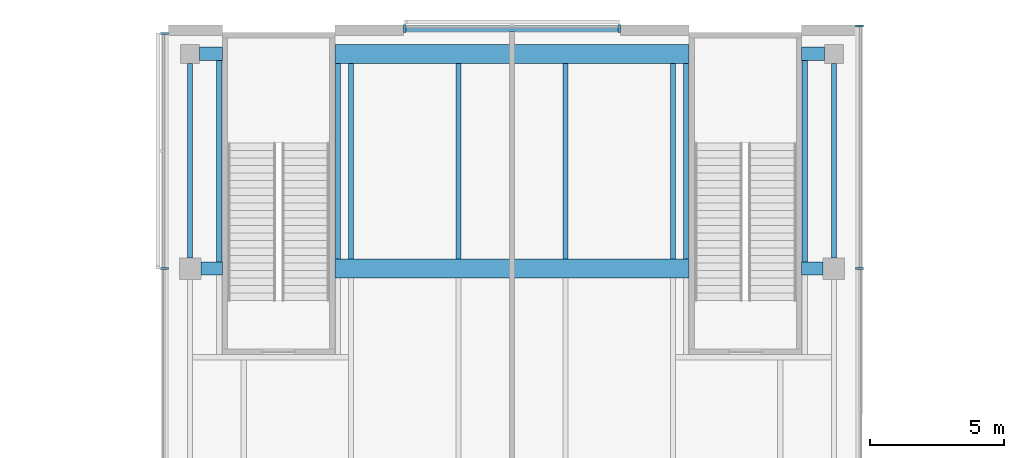
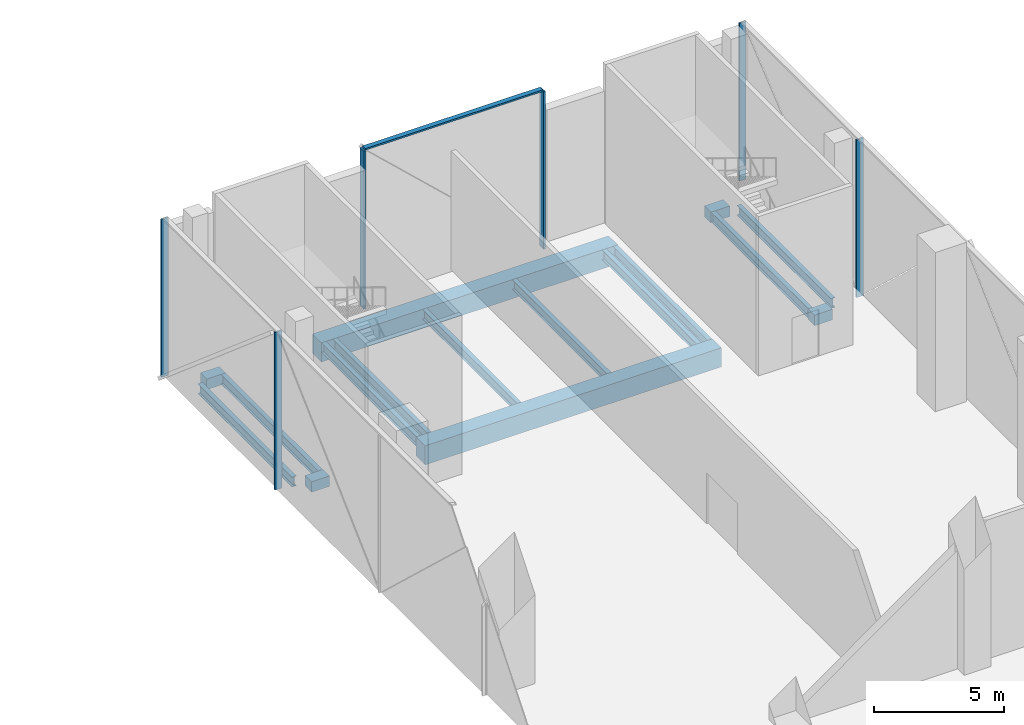
# One storey, part 11 of 25: 16 beams, 7 members, 3 elements without a shape of their own.
"""IFC4 building model written with IfcOpenShell, lengths in metres."""

from ifc_helpers import new_model, si_unit, direction, frame, origin, origin_2d, place, context, subcontext, project, spatial, rectangle, i_section, extrude, material, material_profile, profile_set, type_object, element, aggregate, save


model = new_model("IFC4")

# Units and contexts
model_context = context("Model", 3, precision=1e-05, world=origin(), true_north=direction((0.0, 1.0)))
body_context = subcontext(model_context, "Body", "Model", "MODEL_VIEW")
ifc_project = project(units=[si_unit("LENGTHUNIT", "METRE"), si_unit("AREAUNIT", "SQUARE_METRE"), si_unit("VOLUMEUNIT", "CUBIC_METRE"), si_unit("PLANEANGLEUNIT", "RADIAN"), si_unit("MASSUNIT", "GRAM", prefix="KILO")], contexts=[model_context])

# Site, building, storey
site_placement = place(None, origin())
site = spatial("IfcSite", under=ifc_project, at=site_placement, CompositionType="ELEMENT")
building_placement = place(site_placement, origin())
building = spatial("IfcBuilding", under=site, at=building_placement, Name="Crosswind Convention Tower", CompositionType="ELEMENT")
storey_placement = place(building_placement, frame((0.0, 0.0, 17.5)))
storey = spatial("IfcBuildingStorey", under=building, at=storey_placement, Name="L02", CompositionType="ELEMENT", Elevation=17.5)

# Beams
ifc_material_1 = material(Name="Steel S355", Category="steel")
ifc_material_profile_1 = material_profile(ifc_material_1, i_section(OverallWidth=0.19287109375, OverallDepth=0.467529296875, WebThickness=0.011474609375, FlangeThickness=0.01953125, FilletRadius=0.01025390625, at=origin_2d()), Name="UB 457x191x98")
ifc_profile_set_1 = profile_set([ifc_material_profile_1], Name="Steel S355")
beam_type_1 = type_object("IfcBeamType", Name="Edge beam UB 457x191x98", PredefinedType="SPANDREL", material=ifc_profile_set_1)
for number, where, z_axis, x_axis, name in (
    (1, (113.0, 136.39990234375, -0.6337890625), (0.0, 1.0, 0.0), (-1.0, 0.0, 0.0), "B20 L02 edge beam 12"),
    (2, (137.0, 136.39990234375, -0.6337890625), (0.0, 1.0, 0.0), (-1.0, 0.0, 0.0), "B20 L02 edge beam 20"),
):
    element("IfcBeam", number, at=place(storey_placement, frame(where, z_axis=z_axis, x_axis=x_axis)), inside=storey, type_object=beam_type_1, Name=name, PredefinedType="SPANDREL", context=body_context, shape_type="SweptSolid", body=[
        extrude(i_section(OverallWidth=0.19287109375, OverallDepth=0.467529296875, WebThickness=0.011474609375, FlangeThickness=0.01953125, FilletRadius=0.01025390625, at=origin_2d()), origin(), (0.0, 0.0, 1.0), 7.25),
    ])

# Curtain wall, members
ifc_material_2 = material(Name="Aluminium unitised curtain wall", Category="aluminium")
curtain_wall_type = type_object("IfcCurtainWallType", Name="PODIUM UNITISED WALL 300", PredefinedType="USERDEFINED", material=ifc_material_2)
curtain_wall_1_placement = place(storey_placement, origin())
curtain_wall_1 = element("IfcCurtainWall", 3, at=curtain_wall_1_placement, inside=storey, type_object=curtain_wall_type, Name="CW1 L02 N-E 1", ObjectType="UNITISED", PredefinedType="USERDEFINED")
ifc_material_3 = material(Name="Aluminium mullion", Category="aluminium")
ifc_material_profile_2 = material_profile(ifc_material_3, rectangle(XDim=0.300048828125, YDim=0.080078125, at=origin_2d()), Name="AL 300X80")
ifc_profile_set_2 = profile_set([ifc_material_profile_2], Name="Aluminium mullion")
member_type_1 = type_object("IfcMemberType", Name="MULLION 80X300", PredefinedType="MULLION", material=ifc_profile_set_2)
member_1_placement = place(storey_placement, frame((137.949951171875, 136.0, -0.39990234375), z_axis=(0.0, 0.0, 1.0), x_axis=(1.0, 0.0, 0.0)))
member_1 = element("IfcMember", 4, at=member_1_placement, type_object=member_type_1, Name="CW1 mullion 3", PredefinedType="MULLION", context=body_context, shape_type="SweptSolid", body=[
    extrude(rectangle(XDim=0.300048828125, YDim=0.080078125, at=origin_2d()), origin(), (0.0, 0.0, 1.0), 7.419921875),
])
member_2_placement = place(storey_placement, frame((137.949951171875, 145.044921875, -0.39990234375), z_axis=(0.0, 0.0, 1.0), x_axis=(1.0, 0.0, 0.0)))
member_2 = element("IfcMember", 5, at=member_2_placement, type_object=member_type_1, Name="CW1 mullion 4", PredefinedType="MULLION", context=body_context, shape_type="SweptSolid", body=[
    extrude(rectangle(XDim=0.300048828125, YDim=0.080078125, at=origin_2d()), origin(), (0.0, 0.0, 1.0), 7.419921875),
])
aggregate(curtain_wall_1, [member_1, member_2])

curtain_wall_2_placement = place(storey_placement, origin())
curtain_wall_2 = element("IfcCurtainWall", 6, at=curtain_wall_2_placement, inside=storey, type_object=curtain_wall_type, Name="CW1 L02 N-TIP 1", ObjectType="UNITISED", PredefinedType="USERDEFINED")
member_3_placement = place(storey_placement, frame((129.0, 144.949951171875, -0.39990234375), z_axis=(0.0, 0.0, 1.0), x_axis=(0.0, 1.0, 0.0)))
member_3 = element("IfcMember", 7, at=member_3_placement, type_object=member_type_1, Name="CW1 mullion 1", PredefinedType="MULLION", context=body_context, shape_type="SweptSolid", body=[
    extrude(rectangle(XDim=0.300048828125, YDim=0.080078125, at=origin_2d()), origin(), (0.0, 0.0, 1.0), 7.419921875),
])
member_4_placement = place(storey_placement, frame((121.0, 144.949951171875, -0.39990234375), z_axis=(0.0, 0.0, 1.0), x_axis=(0.0, 1.0, 0.0)))
member_4 = element("IfcMember", 8, at=member_4_placement, type_object=member_type_1, Name="CW1 mullion 2", PredefinedType="MULLION", context=body_context, shape_type="SweptSolid", body=[
    extrude(rectangle(XDim=0.300048828125, YDim=0.080078125, at=origin_2d()), origin(), (0.0, 0.0, 1.0), 7.419921875),
])

curtain_wall_3_placement = place(storey_placement, origin())
curtain_wall_3 = element("IfcCurtainWall", 9, at=curtain_wall_3_placement, inside=storey, type_object=curtain_wall_type, Name="CW1 L02 N-W 1", ObjectType="UNITISED", PredefinedType="USERDEFINED")
member_5_placement = place(storey_placement, frame((112.050048828125, 144.760009765625, -0.39990234375), z_axis=(0.0, 0.0, 1.0), x_axis=(-1.0, 0.0, 0.0)))
member_5 = element("IfcMember", 10, at=member_5_placement, type_object=member_type_1, Name="CW1 mullion 1", PredefinedType="MULLION", context=body_context, shape_type="SweptSolid", body=[
    extrude(rectangle(XDim=0.300048828125, YDim=0.080078125, at=origin_2d()), origin(), (0.0, 0.0, 1.0), 7.419921875),
])
member_6_placement = place(storey_placement, frame((112.050048828125, 136.0, -0.39990234375), z_axis=(0.0, 0.0, 1.0), x_axis=(-1.0, 0.0, 0.0)))
member_6 = element("IfcMember", 11, at=member_6_placement, type_object=member_type_1, Name="CW1 mullion 2", PredefinedType="MULLION", context=body_context, shape_type="SweptSolid", body=[
    extrude(rectangle(XDim=0.300048828125, YDim=0.080078125, at=origin_2d()), origin(), (0.0, 0.0, 1.0), 7.419921875),
])
aggregate(curtain_wall_3, [member_5, member_6])

# Beams
ifc_material_4 = material(Name="Concrete C60/75", Category="concrete")
ifc_material_profile_3 = material_profile(ifc_material_4, rectangle(XDim=0.699951171875, YDim=0.89990234375, at=origin_2d()), Name="RC 700X900")
ifc_profile_set_3 = profile_set([ifc_material_profile_3], Name="Concrete C60/75")
beam_type_2 = type_object("IfcBeamType", Name="Prestressed concrete girder between stair walls RC 700X900", PredefinedType="BEAM", material=ifc_profile_set_3)
for number, where, z_axis, x_axis, name in (
    (12, (118.39990234375, 136.0, -0.85009765625), (1.0, 0.0, 0.0), (0.0, 1.0, 0.0), "B41 L02 prestressed concrete girder between stair walls 5"),
    (13, (118.39990234375, 144.0, -0.85009765625), (1.0, 0.0, 0.0), (0.0, 1.0, 0.0), "B41 L02 prestressed concrete girder between stair walls 6"),
):
    element("IfcBeam", number, at=place(storey_placement, frame(where, z_axis=z_axis, x_axis=x_axis)), inside=storey, type_object=beam_type_2, Name=name, PredefinedType="BEAM", context=body_context, shape_type="SweptSolid", body=[
        extrude(rectangle(XDim=0.699951171875, YDim=0.89990234375, at=origin_2d()), origin(), (0.0, 0.0, 1.0), 13.2001953125),
    ])
ifc_material_profile_4 = material_profile(ifc_material_1, i_section(OverallWidth=0.19140625, OverallDepth=0.460205078125, WebThickness=0.010009765625, FlangeThickness=0.01611328125, FilletRadius=0.01025390625, at=origin_2d()), Name="UB 457x191x82")
ifc_profile_set_4 = profile_set([ifc_material_profile_4], Name="Steel S355")
beam_type_3 = type_object("IfcBeamType", Name="Secondary beam UB 457x191x82", PredefinedType="JOIST", material=ifc_profile_set_4)
for number, where, z_axis, x_axis, name in (
    (14, (119.0, 136.35009765625, -0.630126953125), (0.0, 1.0, 0.0), (-1.0, 0.0, 0.0), "B13 L02 secondary beam 27"),
    (15, (123.0, 136.35009765625, -0.630126953125), (0.0, 1.0, 0.0), (-1.0, 0.0, 0.0), "B13 L02 secondary beam 38"),
    (16, (127.0, 136.35009765625, -0.630126953125), (0.0, 1.0, 0.0), (-1.0, 0.0, 0.0), "B13 L02 secondary beam 46"),
    (17, (131.0, 136.35009765625, -0.630126953125), (0.0, 1.0, 0.0), (-1.0, 0.0, 0.0), "B13 L02 secondary beam 57"),
):
    element("IfcBeam", number, at=place(storey_placement, frame(where, z_axis=z_axis, x_axis=x_axis)), inside=storey, type_object=beam_type_3, Name=name, PredefinedType="JOIST", context=body_context, shape_type="SweptSolid", body=[
        extrude(i_section(OverallWidth=0.19140625, OverallDepth=0.460205078125, WebThickness=0.010009765625, FlangeThickness=0.01611328125, FilletRadius=0.01025390625, at=origin_2d()), origin(), (0.0, 0.0, 1.0), 7.2998046875),
    ])
ifc_material_profile_5 = material_profile(ifc_material_4, rectangle(XDim=0.5, YDim=0.5, at=origin_2d()), Name="RC 500X500")
ifc_profile_set_5 = profile_set([ifc_material_profile_5], Name="Concrete C60/75")
beam_type_4 = type_object("IfcBeamType", Name="Slab edge tie beam RC 500X500", PredefinedType="BEAM", material=ifc_profile_set_5)
beam_1_placement = place(storey_placement, frame((113.35009765625, 144.0, -0.64990234375), z_axis=(1.0, 0.0, 0.0), x_axis=(0.0, 1.0, 0.0)))
element("IfcBeam", 18, at=beam_1_placement, inside=storey, type_object=beam_type_4, Name="B42 L02 slab edge tie beam 6", PredefinedType="BEAM", context=body_context, shape_type="SweptSolid", body=[
    extrude(rectangle(XDim=0.5, YDim=0.5, at=origin_2d()), origin(), (0.0, 0.0, 1.0), 0.849853515625),
])
for number, where, z_axis, x_axis, name in (
    (19, (113.39990234375, 136.0, -0.64990234375), (1.0, 0.0, 0.0), (0.0, 1.0, 0.0), "B42 L02 slab edge tie beam 8"),
    (20, (135.800048828125, 136.0, -0.64990234375), (1.0, 0.0, 0.0), (0.0, 1.0, 0.0), "B42 L02 slab edge tie beam 11"),
):
    element("IfcBeam", number, at=place(storey_placement, frame(where, z_axis=z_axis, x_axis=x_axis)), inside=storey, type_object=beam_type_4, Name=name, PredefinedType="BEAM", context=body_context, shape_type="SweptSolid", body=[
        extrude(rectangle(XDim=0.5, YDim=0.5, at=origin_2d()), origin(), (0.0, 0.0, 1.0), 0.800048828125),
    ])
beam_2_placement = place(storey_placement, frame((135.800048828125, 144.0, -0.64990234375), z_axis=(1.0, 0.0, 0.0), x_axis=(0.0, 1.0, 0.0)))
element("IfcBeam", 21, at=beam_2_placement, inside=storey, type_object=beam_type_4, Name="B42 L02 slab edge tie beam 12", PredefinedType="BEAM", context=body_context, shape_type="SweptSolid", body=[
    extrude(rectangle(XDim=0.5, YDim=0.5, at=origin_2d()), origin(), (0.0, 0.0, 1.0), 0.849853515625),
])

# Member
ifc_material_5 = material(Name="Aluminium transom", Category="aluminium")
ifc_material_profile_6 = material_profile(ifc_material_5, rectangle(XDim=0.219970703125, YDim=0.080078125, at=origin_2d()), Name="AL 220X80")
ifc_profile_set_6 = profile_set([ifc_material_profile_6], Name="Aluminium transom")
member_type_2 = type_object("IfcMemberType", Name="TRANSOM 80X220", PredefinedType="USERDEFINED", material=ifc_profile_set_6)
member_7_placement = place(storey_placement, frame((128.9599609375, 144.949951171875, 7.06005859375), z_axis=(-1.0, 0.0, 0.0), x_axis=(0.0, -1.0, 0.0)))
member_7 = element("IfcMember", 22, at=member_7_placement, type_object=member_type_2, Name="CW1 transom", ObjectType="TRANSOM", PredefinedType="USERDEFINED", context=body_context, shape_type="SweptSolid", body=[
    extrude(rectangle(XDim=0.219970703125, YDim=0.080078125, at=origin_2d()), origin(), (0.0, 0.0, 1.0), 7.919921875),
])

aggregate(curtain_wall_2, [member_3, member_4, member_7])

# Beams
ifc_material_profile_7 = material_profile(ifc_material_1, i_section(OverallWidth=0.19189453125, OverallDepth=0.463623046875, WebThickness=0.010498046875, FlangeThickness=0.017578125, FilletRadius=0.01025390625, at=origin_2d()), Name="UB 457x191x90")
ifc_profile_set_7 = profile_set([ifc_material_profile_7], Name="Steel S355")
beam_type_5 = type_object("IfcBeamType", Name="Trimmer beam UB 457x191x90", PredefinedType="BEAM", material=ifc_profile_set_7)
beam_3_placement = place(storey_placement, frame((114.090087890625, 136.25, -0.6318359375), z_axis=(0.0, 1.0, 0.0), x_axis=(-1.0, 0.0, 0.0)))
element("IfcBeam", 23, at=beam_3_placement, inside=storey, type_object=beam_type_5, Name="B33 L02 trimmer beam 16", PredefinedType="BEAM", context=body_context, shape_type="SweptSolid", body=[
    extrude(i_section(OverallWidth=0.19189453125, OverallDepth=0.463623046875, WebThickness=0.010498046875, FlangeThickness=0.017578125, FilletRadius=0.01025390625, at=origin_2d()), origin(), (0.0, 0.0, 1.0), 7.5),
])
for number, where, z_axis, x_axis, name in (
    (24, (118.510009765625, 136.35009765625, -0.6318359375), (0.0, 1.0, 0.0), (-1.0, 0.0, 0.0), "B33 L02 trimmer beam 20"),
    (25, (131.489990234375, 136.35009765625, -0.6318359375), (0.0, 1.0, 0.0), (-1.0, 0.0, 0.0), "B33 L02 trimmer beam 26"),
):
    element("IfcBeam", number, at=place(storey_placement, frame(where, z_axis=z_axis, x_axis=x_axis)), inside=storey, type_object=beam_type_5, Name=name, PredefinedType="BEAM", context=body_context, shape_type="SweptSolid", body=[
        extrude(i_section(OverallWidth=0.19189453125, OverallDepth=0.463623046875, WebThickness=0.010498046875, FlangeThickness=0.017578125, FilletRadius=0.01025390625, at=origin_2d()), origin(), (0.0, 0.0, 1.0), 7.2998046875),
    ])
beam_4_placement = place(storey_placement, frame((135.909912109375, 136.25, -0.6318359375), z_axis=(0.0, 1.0, 0.0), x_axis=(-1.0, 0.0, 0.0)))
element("IfcBeam", 26, at=beam_4_placement, inside=storey, type_object=beam_type_5, Name="B33 L02 trimmer beam 30", PredefinedType="BEAM", context=body_context, shape_type="SweptSolid", body=[
    extrude(i_section(OverallWidth=0.19189453125, OverallDepth=0.463623046875, WebThickness=0.010498046875, FlangeThickness=0.017578125, FilletRadius=0.01025390625, at=origin_2d()), origin(), (0.0, 0.0, 1.0), 7.5),
])

save(model, "model.ifc")
